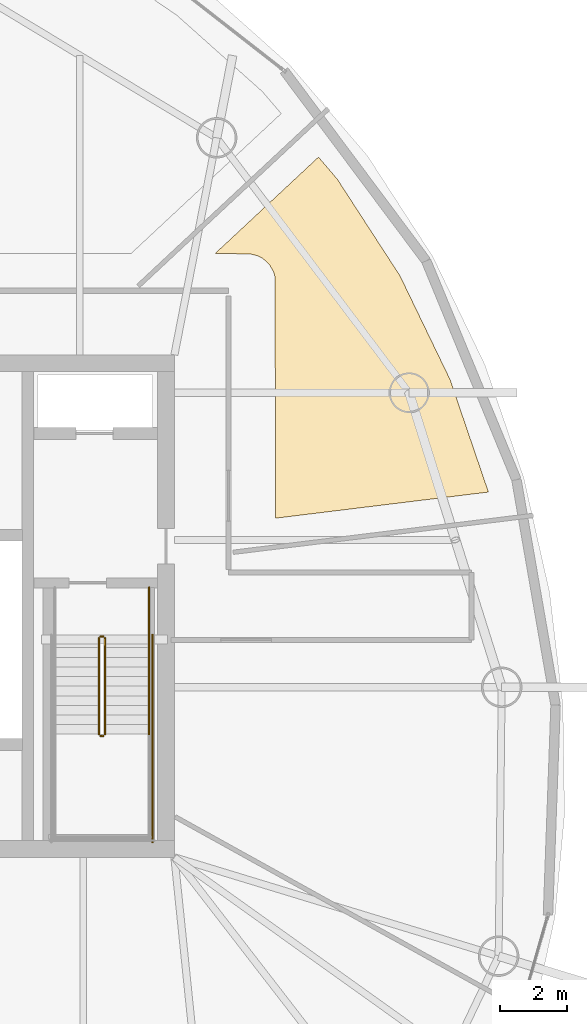
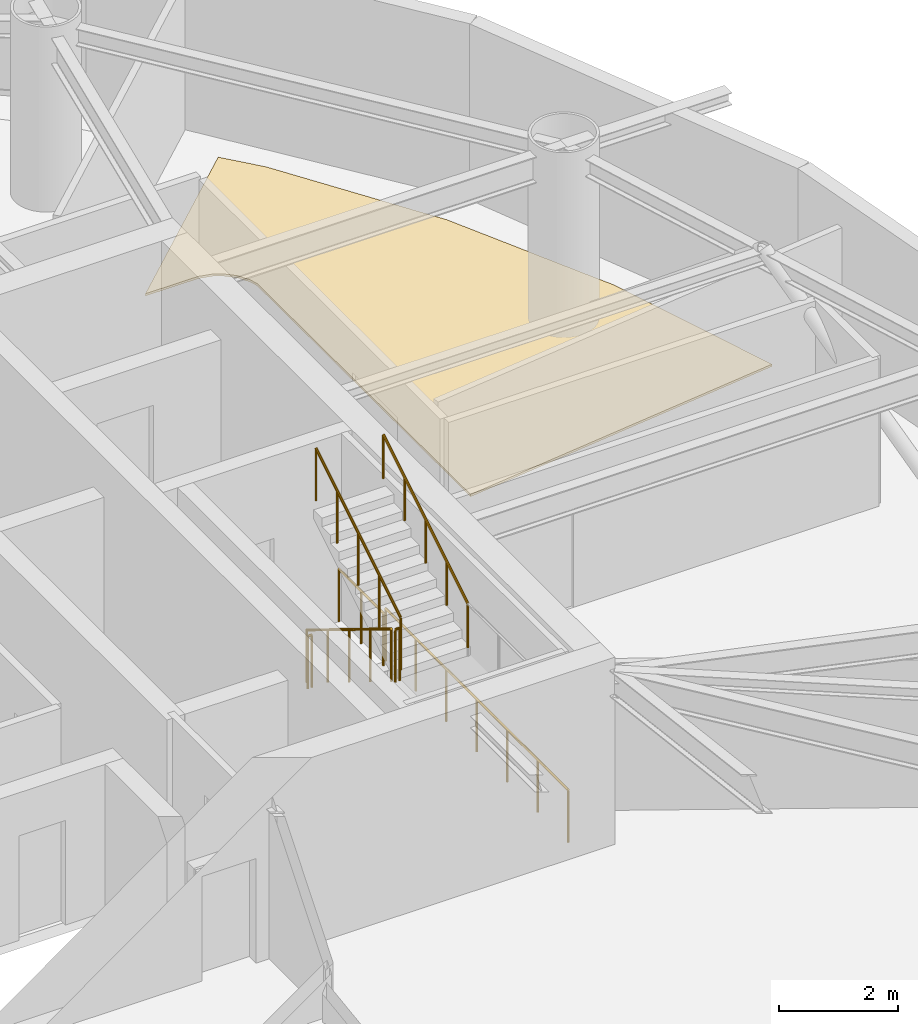
# One storey, part 21 of 22: 7 railings, 1 covering.
"""IFC4 building model written with IfcOpenShell, lengths in metres."""

from ifc_helpers import new_model, si_unit, direction, frame, origin, origin_2d, place, context, subcontext, project, spatial, polyline, circle, outline, extrude, material, layer, layer_set, type_object, element, save


model = new_model("IFC4")

# Units and contexts
model_context = context("Model", 3, precision=1e-05, world=origin(), true_north=direction((0.0, 1.0)))
body_context = subcontext(model_context, "Body", "Model", "MODEL_VIEW")
ifc_project = project(units=[si_unit("LENGTHUNIT", "METRE"), si_unit("AREAUNIT", "SQUARE_METRE"), si_unit("VOLUMEUNIT", "CUBIC_METRE"), si_unit("PLANEANGLEUNIT", "RADIAN"), si_unit("MASSUNIT", "GRAM", prefix="KILO")], contexts=[model_context])

# Site, building, storey
site_placement = place(None, origin())
site = spatial("IfcSite", under=ifc_project, at=site_placement, CompositionType="ELEMENT")
building_placement = place(site_placement, origin())
building = spatial("IfcBuilding", under=site, at=building_placement, Name="Bramvorn Convention Spire", CompositionType="ELEMENT")
storey_placement = place(building_placement, frame((0.0, 0.0, 213.550048828125)))
storey = spatial("IfcBuildingStorey", under=building, at=storey_placement, Name="L54", CompositionType="ELEMENT", Elevation=213.550048828125)

# Covering
ifc_material_1 = material(Name="Calcium-Sulphate Raised Access Office Floor", Category="steel")
ifc_layer = layer(ifc_material_1, 0.044921875)
ifc_layer_set = layer_set([ifc_layer], Name="Calcium-Sulphate Raised Access Office Floor - FLR-RAISED-45")
covering_type = type_object("IfcCoveringType", Name="FLR-RAISED-45", PredefinedType="FLOORING", material=ifc_layer_set)
covering_placement = place(storey_placement, origin())
element("IfcCovering", 1, at=covering_placement, inside=storey, type_object=covering_type, Name="L54 Design Office Studio A 1 raised floor finish", PredefinedType="FLOORING", context=body_context, shape_type="SweptSolid", body=[
    extrude(outline(polyline([(54.078125, 38.661376953125), (53.521484375, 39.31201171875), (50.45263671875, 36.449951171875), (51.4833984375, 36.44580078125), (51.725341796875, 36.38525390625), (51.872314453125, 36.306640625), (52.05712890625, 36.13916015625), (52.185302734375, 35.92529296875), (52.233642578125, 35.765869140625), (52.25, 28.606201171875), (58.560791015625, 29.380859375), (57.42333984375, 32.717041015625), (55.9375, 35.795166015625), (54.078125, 38.661376953125)])), origin(), (0.0, 0.0, 1.0), 0.044921875),
])

# Railings
ifc_material_2 = material(Name="Painted Steel Balustrade & Guardrail", Category="steel")
railing_type_1 = type_object("IfcRailingType", Name="RL-STAIR-GUARD-1100", PredefinedType="GUARDRAIL", material=ifc_material_2)
railing_1_placement = place(storey_placement, frame((47.010009765625, 25.050048828125, 0.175048828125)))
element("IfcRailing", 2, at=railing_1_placement, inside=storey, type_object=railing_type_1, Name="L54 ST2 stair guard 1", PredefinedType="GUARDRAIL", context=body_context, shape_type="SweptSolid", body=[
    extrude(circle(Radius=0.02392578125, at=origin_2d()), frame((0.0, 0.0, 1.076171875), z_axis=(0.0, -0.852179220489, 0.52325001306), x_axis=(1.0, 0.0, 0.0)), (0.0, 0.0, 1.0), 3.344482421875),
    extrude(circle(Radius=0.02099609375, at=origin_2d()), origin(), (0.0, 0.0, 1.0), 1.052001953125),
    extrude(circle(Radius=0.02099609375, at=origin_2d()), frame((0.0, -0.71240234375, 0.4375)), (0.0, 0.0, 1.0), 1.052001953125),
    extrude(circle(Radius=0.02099609375, at=origin_2d()), frame((0.0, -1.425048828125, 0.875)), (0.0, 0.0, 1.0), 1.052001953125),
    extrude(circle(Radius=0.02099609375, at=origin_2d()), frame((0.0, -2.1376953125, 1.3125)), (0.0, 0.0, 1.0), 1.052001953125),
    extrude(circle(Radius=0.02099609375, at=origin_2d()), frame((0.0, -2.85009765625, 1.75)), (0.0, 0.0, 1.0), 1.052001953125),
])
railing_2_placement = place(storey_placement, frame((47.06005859375, 22.14990234375, 1.925048828125)))
element("IfcRailing", 3, at=railing_2_placement, inside=storey, type_object=railing_type_1, Name="L54 ST2 stair guard 2", PredefinedType="GUARDRAIL", context=body_context, shape_type="SweptSolid", body=[
    extrude(circle(Radius=0.02392578125, at=origin_2d()), frame((0.0, 0.0, 1.076171875), z_axis=(1.0, 0.0, 0.0), x_axis=(0.0, 1.0, 0.0)), (0.0, 0.0, 1.0), 0.079833984375),
    extrude(circle(Radius=0.02099609375, at=origin_2d()), origin(), (0.0, 0.0, 1.0), 1.052001953125),
    extrude(circle(Radius=0.02099609375, at=origin_2d()), frame((0.079833984375, 0.0, 0.0)), (0.0, 0.0, 1.0), 1.052001953125),
])
railing_3_placement = place(storey_placement, frame((47.18994140625, 22.199951171875, 2.099853515625)))
element("IfcRailing", 4, at=railing_3_placement, inside=storey, type_object=railing_type_1, Name="L54 ST2 stair guard 6", PredefinedType="GUARDRAIL", context=body_context, shape_type="SweptSolid", body=[
    extrude(circle(Radius=0.02392578125, at=origin_2d()), frame((0.0, 0.0, 1.076171875), z_axis=(0.0, 0.852179220489, 0.52325001306), x_axis=(-1.0, 0.0, 0.0)), (0.0, 0.0, 1.0), 3.344482421875),
    extrude(circle(Radius=0.02099609375, at=origin_2d()), origin(), (0.0, 0.0, 1.0), 1.052001953125),
    extrude(circle(Radius=0.02099609375, at=origin_2d()), frame((0.0, 0.71240234375, 0.4375)), (0.0, 0.0, 1.0), 1.052001953125),
    extrude(circle(Radius=0.02099609375, at=origin_2d()), frame((0.0, 1.425048828125, 0.875)), (0.0, 0.0, 1.0), 1.052001953125),
    extrude(circle(Radius=0.02099609375, at=origin_2d()), frame((0.0, 2.1376953125, 1.3125)), (0.0, 0.0, 1.0), 1.052001953125),
    extrude(circle(Radius=0.02099609375, at=origin_2d()), frame((0.0, 2.85009765625, 1.75)), (0.0, 0.0, 1.0), 1.052001953125),
])
railing_4_placement = place(storey_placement, frame((47.06005859375, 25.10009765625, 0.0)))
element("IfcRailing", 5, at=railing_4_placement, inside=storey, type_object=railing_type_1, Name="L54 ST2 stair guard 7", PredefinedType="GUARDRAIL", context=body_context, shape_type="SweptSolid", body=[
    extrude(circle(Radius=0.02392578125, at=origin_2d()), frame((0.0, 0.0, 1.076171875), z_axis=(1.0, 0.0, 0.0), x_axis=(0.0, 1.0, 0.0)), (0.0, 0.0, 1.0), 0.079833984375),
    extrude(circle(Radius=0.02099609375, at=origin_2d()), origin(), (0.0, 0.0, 1.0), 1.052001953125),
    extrude(circle(Radius=0.02099609375, at=origin_2d()), frame((0.079833984375, 0.0, 0.0)), (0.0, 0.0, 1.0), 1.052001953125),
])
railing_5_placement = place(storey_placement, frame((48.5, 26.550048828125, 0.0)))
element("IfcRailing", 6, at=railing_5_placement, inside=storey, type_object=railing_type_1, Name="L54 ST2 stair guard 9", PredefinedType="GUARDRAIL", context=body_context, shape_type="SweptSolid", body=[
    extrude(circle(Radius=0.02392578125, at=origin_2d()), frame((0.0, 0.0, 1.076171875), z_axis=(0.0, -1.0, 0.0), x_axis=(1.0, 0.0, 0.0)), (0.0, 0.0, 1.0), 1.5),
    extrude(circle(Radius=0.02099609375, at=origin_2d()), origin(), (0.0, 0.0, 1.0), 1.052001953125),
    extrude(circle(Radius=0.02099609375, at=origin_2d()), frame((0.0, -0.75, 0.0)), (0.0, 0.0, 1.0), 1.052001953125),
    extrude(circle(Radius=0.02099609375, at=origin_2d()), frame((0.0, -1.5, 0.0)), (0.0, 0.0, 1.0), 1.052001953125),
])
railing_6_placement = place(storey_placement, frame((48.60009765625, 25.14990234375, 0.0)))
element("IfcRailing", 7, at=railing_6_placement, inside=storey, type_object=railing_type_1, Name="L54 ST2 stair guard 11", PredefinedType="GUARDRAIL", context=body_context, shape_type="SweptSolid", body=[
    extrude(circle(Radius=0.02392578125, at=origin_2d()), frame((0.0, 0.0, 1.076171875), z_axis=(0.0, -1.0, 0.0), x_axis=(1.0, 0.0, 0.0)), (0.0, 0.0, 1.0), 6.14990234375),
    extrude(circle(Radius=0.02099609375, at=origin_2d()), origin(), (0.0, 0.0, 1.0), 1.052001953125),
    extrude(circle(Radius=0.02099609375, at=origin_2d()), frame((0.0, -1.02490234375, 0.0)), (0.0, 0.0, 1.0), 1.052001953125),
    extrude(circle(Radius=0.02099609375, at=origin_2d()), frame((0.0, -2.050048828125, 0.0)), (0.0, 0.0, 1.0), 1.052001953125),
    extrude(circle(Radius=0.02099609375, at=origin_2d()), frame((0.0, -3.074951171875, 0.0)), (0.0, 0.0, 1.0), 1.052001953125),
    extrude(circle(Radius=0.02099609375, at=origin_2d()), frame((0.0, -4.099853515625, 0.0)), (0.0, 0.0, 1.0), 1.052001953125),
    extrude(circle(Radius=0.02099609375, at=origin_2d()), frame((0.0, -5.125, 0.0)), (0.0, 0.0, 1.0), 1.052001953125),
    extrude(circle(Radius=0.02099609375, at=origin_2d()), frame((0.0, -6.14990234375, 0.0)), (0.0, 0.0, 1.0), 1.052001953125),
])
ifc_material_3 = material(Name="Brushed Bronze Tubular Handrail", Category="aluminium")
railing_type_2 = type_object("IfcRailingType", Name="RL-STAIR-HR-920", PredefinedType="HANDRAIL", material=ifc_material_3)
railing_7_placement = place(storey_placement, frame((48.5, 22.199951171875, 2.099853515625)))
element("IfcRailing", 8, at=railing_7_placement, inside=storey, type_object=railing_type_2, Name="L54 ST2 stair handrail 2", PredefinedType="HANDRAIL", context=body_context, shape_type="SweptSolid", body=[
    extrude(circle(Radius=0.02392578125, at=origin_2d()), frame((0.0, 0.0, 0.89599609375), z_axis=(0.0, 0.852179220489, 0.52325001306), x_axis=(-1.0, 0.0, 0.0)), (0.0, 0.0, 1.0), 3.344482421875),
    extrude(circle(Radius=0.02099609375, at=origin_2d()), origin(), (0.0, 0.0, 1.0), 0.871826171875),
    extrude(circle(Radius=0.02099609375, at=origin_2d()), frame((0.0, 0.71240234375, 0.4375)), (0.0, 0.0, 1.0), 0.871826171875),
    extrude(circle(Radius=0.02099609375, at=origin_2d()), frame((0.0, 1.425048828125, 0.875)), (0.0, 0.0, 1.0), 0.871826171875),
    extrude(circle(Radius=0.02099609375, at=origin_2d()), frame((0.0, 2.1376953125, 1.3125)), (0.0, 0.0, 1.0), 0.871826171875),
    extrude(circle(Radius=0.02099609375, at=origin_2d()), frame((0.0, 2.85009765625, 1.75)), (0.0, 0.0, 1.0), 0.871826171875),
])

save(model, "model.ifc")
